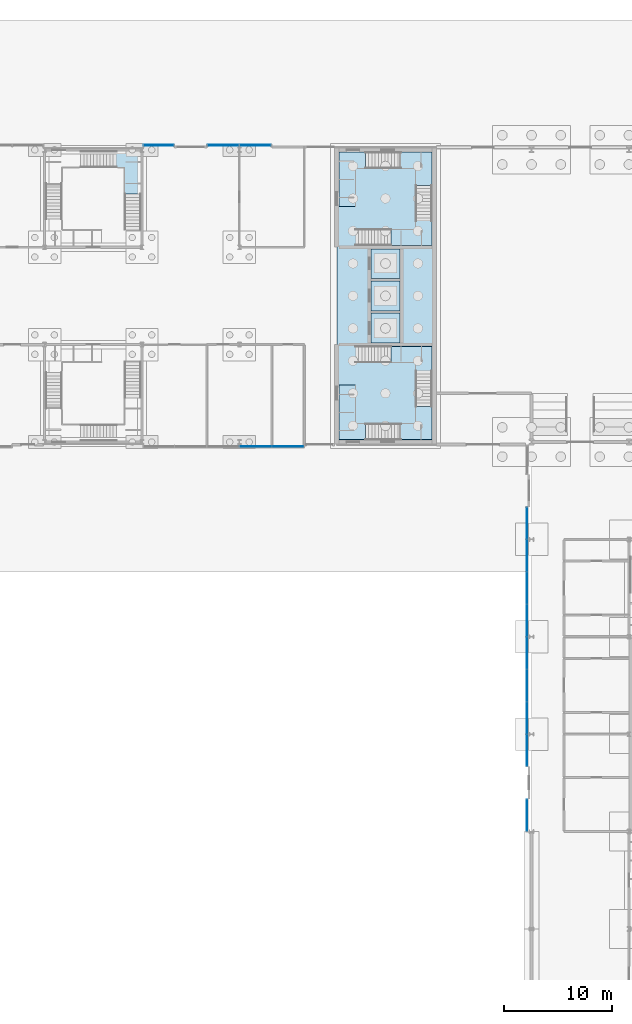
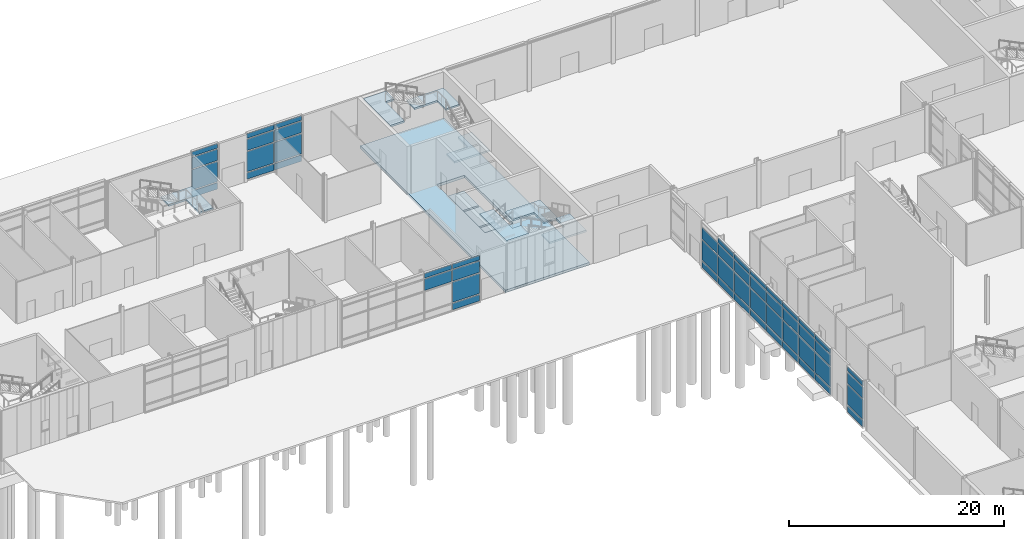
# One storey, part 22 of 45: 53 plates, 11 slabs, 8 elements without a shape of their own.
"""IFC4 building model written with IfcOpenShell, lengths in metres."""

import ifcopenshell
import ifcopenshell.guid

model = None  # the IFC model being written
_history = None  # IfcOwnerHistory: only IFC2X3 demands one
_inside = {}  # id of a spatial element -> (the spatial element, [elements in it])
_under = {}  # id of a project, library or spatial element -> (it, [spatial elements below it])
_declared = {}  # id of a project -> (the project, [libraries it declares])
_typed = {}  # id of a type object -> (the type object, [elements of that type])
_made_of = {}  # id of a material, layer set ... -> (it, [elements and type objects made of it])


def new_model(schema):
    """Start an empty IFC model of exactly this schema.

    Asked for "IFC4X3", IfcOpenShell would pick the latest addendum, in which some entities
    have other attributes; the version numbers below select the first issue.
    IFC2X3 requires an IfcOwnerHistory on every rooted entity: one is made here for all.
    """
    global model, _history
    if schema == "IFC4X3":
        model = ifcopenshell.file(schema_version=(4, 3, 0, 0))
    else:
        model = ifcopenshell.file(schema=schema)
    _inside.clear()
    _under.clear()
    _declared.clear()
    _typed.clear()
    _made_of.clear()
    _history = None
    if model.schema == "IFC2X3":
        org = make("IfcOrganization", Name="unknown")
        user = make(
            "IfcPersonAndOrganization",
            ThePerson=make("IfcPerson", FamilyName="unknown"),
            TheOrganization=org,
        )
        app = make(
            "IfcApplication",
            ApplicationDeveloper=org,
            Version="unknown",
            ApplicationFullName="unknown",
            ApplicationIdentifier="unknown",
        )
        _history = make(
            "IfcOwnerHistory",
            OwningUser=user,
            OwningApplication=app,
            ChangeAction="ADDED",
            CreationDate=0,
        )
    return model


def make(cls, **values):
    """One entity of the class cls with the attributes given. An attribute that is None is left unset."""
    return model.create_entity(
        cls, **{name: value for name, value in values.items() if value is not None}
    )


def rooted(cls, **values):
    """An entity with a GlobalId (a new one), such as an element, a storey or a relation."""
    return make(cls, GlobalId=ifcopenshell.guid.new(), OwnerHistory=_history, **values)


def si_unit(unit_type, name, prefix=None):
    """IfcSIUnit, for example si_unit("LENGTHUNIT", "METRE", prefix="MILLI")."""
    return make("IfcSIUnit", UnitType=unit_type, Prefix=prefix, Name=name)


def assignment(units):
    """IfcUnitAssignment: the units of a project."""
    return None if units is None else make("IfcUnitAssignment", Units=units)


def point(xyz):
    """IfcCartesianPoint."""
    return None if xyz is None else make("IfcCartesianPoint", Coordinates=xyz)


def direction(xyz):
    """IfcDirection."""
    return None if xyz is None else make("IfcDirection", DirectionRatios=xyz)


def frame(location, z_axis=None, x_axis=None):
    """IfcAxis2Placement3D, a coordinate frame: its origin and axes. An axis left out is left unset."""
    return make(
        "IfcAxis2Placement3D",
        Location=point(location),
        Axis=direction(z_axis),
        RefDirection=direction(x_axis),
    )


def frame_2d(location, x_axis=None):
    """IfcAxis2Placement2D, a coordinate frame in the plane: its origin and x axis."""
    return make(
        "IfcAxis2Placement2D", Location=point(location), RefDirection=direction(x_axis)
    )


def origin():
    """The frame at (0, 0, 0) with its axes left unset."""
    return frame((0.0, 0.0, 0.0))


def origin_2d():
    """The frame at (0, 0) in the plane with its x axis left unset."""
    return frame_2d((0.0, 0.0))


def place(relative_to, where):
    """IfcLocalPlacement: puts the frame where relative to a parent placement (None: the world)."""
    return make(
        "IfcLocalPlacement", PlacementRelTo=relative_to, RelativePlacement=where
    )


def context(
    kind, dimensions, precision=None, world=None, true_north=None, identifier=None
):
    """IfcGeometricRepresentationContext, for example the 3D "Model" context."""
    return make(
        "IfcGeometricRepresentationContext",
        ContextIdentifier=identifier,
        ContextType=kind,
        CoordinateSpaceDimension=dimensions,
        Precision=precision,
        WorldCoordinateSystem=world,
        TrueNorth=true_north,
    )


def subcontext(parent, identifier, kind, view, scale=None):
    """IfcGeometricRepresentationSubContext, for example "Body" below "Model"."""
    return make(
        "IfcGeometricRepresentationSubContext",
        ContextIdentifier=identifier,
        ContextType=kind,
        ParentContext=parent,
        TargetScale=scale,
        TargetView=view,
    )


def project(units=None, contexts=None):
    """IfcProject with its units and contexts."""
    return rooted(
        "IfcProject",
        Name="project",
        RepresentationContexts=contexts,
        UnitsInContext=assignment(units),
    )


def spatial(cls, under=None, at=None, **own):
    """A site, building, storey or space (cls), placed at a placement, below another one or the project."""
    s = rooted(cls, ObjectPlacement=at, **own)
    if under is not None:
        _under.setdefault(under.id(), (under, []))[1].append(s)
    return s


def polyline(points):
    """IfcPolyline through the points."""
    return make("IfcPolyline", Points=[point(p) for p in points])


def profile(cls, at=None, kind="AREA", **sizes):
    """A parametric profile (cls). Its sizes go by their IFC names, for example OverallWidth=200.0."""
    return make(cls, ProfileType=kind, Position=at, **sizes)


def rectangle(**sizes):
    """IfcRectangleProfileDef."""
    return profile("IfcRectangleProfileDef", **sizes)


def outline(outer, holes=None, kind="AREA"):
    """IfcArbitraryClosedProfileDef: a profile drawn as a closed curve; with holes, ...WithVoids."""
    if holes is None:
        return make("IfcArbitraryClosedProfileDef", ProfileType=kind, OuterCurve=outer)
    return make(
        "IfcArbitraryProfileDefWithVoids",
        ProfileType=kind,
        OuterCurve=outer,
        InnerCurves=holes,
    )


def extrude(swept, where, along, depth):
    """IfcExtrudedAreaSolid: the profile swept, set in the frame where, extruded along a direction by depth."""
    return make(
        "IfcExtrudedAreaSolid",
        SweptArea=swept,
        Position=where,
        ExtrudedDirection=direction(along),
        Depth=depth,
    )


def shape(context_of_items, identifier, shape_type, items):
    """IfcShapeRepresentation: the items that make up one representation, for example the "Body"."""
    return make(
        "IfcShapeRepresentation",
        ContextOfItems=context_of_items,
        RepresentationIdentifier=identifier,
        RepresentationType=shape_type,
        Items=items,
    )


def material(Name=None, Category=None):
    """IfcMaterial."""
    return make("IfcMaterial", Name=Name, Category=Category)


def layer(
    of_material, thickness, ventilated=None, Name=None, Category=None, Priority=None
):
    """IfcMaterialLayer: one layer of a wall or slab, of a material (None: an air gap)."""
    return make(
        "IfcMaterialLayer",
        Material=of_material,
        LayerThickness=thickness,
        IsVentilated=ventilated,
        Name=Name,
        Category=Category,
        Priority=Priority,
    )


def layer_set(layers, Name=None):
    """IfcMaterialLayerSet."""
    return make("IfcMaterialLayerSet", MaterialLayers=layers, LayerSetName=Name)


def made_of(thing, what):
    """Note that an element or type object is made of a material, layer set ...; save() writes the relation."""
    if what is not None:
        _made_of.setdefault(what.id(), (what, []))[1].append(thing)
    return thing


def type_object(cls, material=None, **own):
    """A type object (cls), such as IfcWallType, which elements share."""
    return made_of(rooted(cls, **own), material)


def element(
    cls,
    number,
    at=None,
    inside=None,
    cuts=None,
    type_object=None,
    material=None,
    context=None,
    identifier="Body",
    shape_type=None,
    held_by="IfcProductDefinitionShape",
    body=None,
    shapes=None,
    **own,
):
    """One element of the class cls, such as IfcWall. Its Tag is "e" and its number.

    at: its placement. inside: the storey or other place that contains it. cuts: it is an
    opening in that element (IfcRelVoidsElement). A single representation is given by context,
    identifier, shape_type and body (its items); several are given by shapes. held_by: the class
    of the entity that holds the representations. save() writes the other relations.
    """
    e = rooted(cls, Tag="e%d" % number, ObjectPlacement=at, **own)
    if body is not None:
        shapes = [shape(context, identifier, shape_type, body)]
    if shapes is not None:
        e.Representation = make(held_by, Representations=shapes)
    if inside is not None:
        _inside.setdefault(inside.id(), (inside, []))[1].append(e)
    if cuts is not None:
        rooted(
            "IfcRelVoidsElement", RelatingBuildingElement=cuts, RelatedOpeningElement=e
        )
    if type_object is not None:
        _typed.setdefault(type_object.id(), (type_object, []))[1].append(e)
    return made_of(e, material)


def aggregate(whole, parts):
    """IfcRelAggregates: a whole, such as a stair, and the parts it consists of."""
    return rooted("IfcRelAggregates", RelatingObject=whole, RelatedObjects=parts)


def save(model, path):
    """Write the relations noted so far, then the file.

    IfcRelAggregates (storeys below a building ...), IfcRelContainedInSpatialStructure (elements
    in a storey), IfcRelDefinesByType, IfcRelAssociatesMaterial and IfcRelDeclares: one each for
    every whole, place, type object, material and project.
    """
    for whole, parts in _under.values():
        aggregate(whole, parts)
    for where, things in _inside.values():
        rooted(
            "IfcRelContainedInSpatialStructure",
            RelatedElements=things,
            RelatingStructure=where,
        )
    for kind, things in _typed.values():
        rooted("IfcRelDefinesByType", RelatedObjects=things, RelatingType=kind)
    for what, things in _made_of.values():
        rooted("IfcRelAssociatesMaterial", RelatedObjects=things, RelatingMaterial=what)
    for by, libraries in _declared.values():
        rooted("IfcRelDeclares", RelatingContext=by, RelatedDefinitions=libraries)
    model.write(path)


model = new_model("IFC4")

# Units and contexts
model_context = context("Model", 3, precision=1e-05, world=origin(), true_north=direction((0.0, 1.0)))
body_context = subcontext(model_context, "Body", "Model", "MODEL_VIEW")
ifc_project = project(units=[si_unit("LENGTHUNIT", "METRE"), si_unit("AREAUNIT", "SQUARE_METRE"), si_unit("VOLUMEUNIT", "CUBIC_METRE"), si_unit("PLANEANGLEUNIT", "RADIAN"), si_unit("MASSUNIT", "GRAM", prefix="KILO")], contexts=[model_context])

# Site, building, storey
site_placement = place(None, origin())
site = spatial("IfcSite", under=ifc_project, at=site_placement, CompositionType="ELEMENT")
building_placement = place(site_placement, origin())
building = spatial("IfcBuilding", under=site, at=building_placement, Name="Azimuth Sports and Learning Centre", CompositionType="ELEMENT")
storey_placement = place(building_placement, origin())
storey = spatial("IfcBuildingStorey", under=building, at=storey_placement, Name="L00", CompositionType="ELEMENT", Elevation=0.0)

# Stair, slabs
ifc_material_1 = material(Name="Concrete C32/40", Category="concrete")
stair_type_1 = type_object("IfcStairType", Name="Square-well stair core 5400 storey", PredefinedType="THREE_QUARTER_TURN_STAIR", material=ifc_material_1)
stair_1_placement = place(storey_placement, origin())
stair_1 = element("IfcStair", 1, at=stair_1_placement, inside=storey, type_object=stair_type_1, Name="Stair W1 L00-L01", PredefinedType="THREE_QUARTER_TURN_STAIR")
ifc_material_2 = material(Name="Concrete C32/40", Category="concrete")
ifc_layer_1 = layer(ifc_material_2, 0.199951171875)
ifc_layer_set_1 = layer_set([ifc_layer_1], Name="Concrete C32/40")
slab_type_1 = type_object("IfcSlabType", Name="Concrete stair landing", PredefinedType="LANDING", material=ifc_layer_set_1)
slab_1_placement = place(storey_placement, frame((0.0, 0.0, 1.60009765625)))
slab_1 = element("IfcSlab", 2, at=slab_1_placement, type_object=slab_type_1, Name="Stair W1 L00 landing 1", PredefinedType="LANDING", context=body_context, shape_type="SweptSolid", body=[
    extrude(outline(polyline([(61.2900390625, 97.340087890625), (61.2900390625, 95.489990234375), (62.7900390625, 95.489990234375), (62.7900390625, 98.840087890625), (59.00927734375, 98.840087890625), (59.00927734375, 97.340087890625), (61.2900390625, 97.340087890625)])), origin(), (0.0, 0.0, 1.0), 0.199951171875),
])
slab_2_placement = place(storey_placement, frame((0.0, 0.0, 3.39990234375)))
slab_2 = element("IfcSlab", 3, at=slab_2_placement, type_object=slab_type_1, Name="Stair W1 L00 landing 2", PredefinedType="LANDING", context=body_context, shape_type="SweptSolid", body=[
    extrude(outline(polyline([(61.2900390625, 91.7099609375), (58.840087890625, 91.7099609375), (58.840087890625, 90.2099609375), (62.7900390625, 90.2099609375), (62.7900390625, 93.290771484375), (61.2900390625, 93.290771484375), (61.2900390625, 91.7099609375)])), origin(), (0.0, 0.0, 1.0), 0.2001953125),
])
slab_3_placement = place(storey_placement, frame((0.0, 0.0, 5.199951171875)))
slab_3 = element("IfcSlab", 4, at=slab_3_placement, type_object=slab_type_1, Name="Stair W1 L00 landing 3", PredefinedType="LANDING", context=body_context, shape_type="SweptSolid", body=[
    extrude(outline(polyline([(55.7099609375, 91.7099609375), (55.7099609375, 95.25), (54.2099609375, 95.25), (54.2099609375, 90.2099609375), (56.640625, 90.2099609375), (56.640625, 91.7099609375), (55.7099609375, 91.7099609375)])), origin(), (0.0, 0.0, 1.0), 0.199951171875),
])
aggregate(stair_1, [slab_1, slab_2, slab_3])

stair_2_placement = place(storey_placement, origin())
stair_2 = element("IfcStair", 5, at=stair_2_placement, inside=storey, type_object=stair_type_1, Name="Stair W2 L00-L01", PredefinedType="THREE_QUARTER_TURN_STAIR")
slab_4_placement = place(storey_placement, frame((0.0, 0.0, 1.60009765625)))
slab_4 = element("IfcSlab", 6, at=slab_4_placement, type_object=slab_type_1, Name="Stair W2 L00 landing 1", PredefinedType="LANDING", context=body_context, shape_type="SweptSolid", body=[
    extrude(outline(polyline([(61.2900390625, 109.659912109375), (59.00927734375, 109.659912109375), (59.00927734375, 108.159912109375), (62.7900390625, 108.159912109375), (62.7900390625, 111.510009765625), (61.2900390625, 111.510009765625), (61.2900390625, 109.659912109375)])), origin(), (0.0, 0.0, 1.0), 0.199951171875),
])
slab_5_placement = place(storey_placement, frame((0.0, 0.0, 3.39990234375)))
slab_5 = element("IfcSlab", 7, at=slab_5_placement, type_object=slab_type_1, Name="Stair W2 L00 landing 2", PredefinedType="LANDING", context=body_context, shape_type="SweptSolid", body=[
    extrude(outline(polyline([(61.2900390625, 115.2900390625), (61.2900390625, 113.709228515625), (62.7900390625, 113.709228515625), (62.7900390625, 116.7900390625), (58.840087890625, 116.7900390625), (58.840087890625, 115.2900390625), (61.2900390625, 115.2900390625)])), origin(), (0.0, 0.0, 1.0), 0.2001953125),
])
slab_6_placement = place(storey_placement, frame((0.0, 0.0, 5.199951171875)))
slab_6 = element("IfcSlab", 8, at=slab_6_placement, type_object=slab_type_1, Name="Stair W2 L00 landing 3", PredefinedType="LANDING", context=body_context, shape_type="SweptSolid", body=[
    extrude(outline(polyline([(55.7099609375, 115.2900390625), (56.640625, 115.2900390625), (56.640625, 116.7900390625), (54.2099609375, 116.7900390625), (54.2099609375, 111.75), (55.7099609375, 111.75), (55.7099609375, 115.2900390625)])), origin(), (0.0, 0.0, 1.0), 0.199951171875),
])
aggregate(stair_2, [slab_4, slab_5, slab_6])

# Stair, slab
ifc_material_3 = material(Name="Concrete C32/40", Category="concrete")
stair_type_2 = type_object("IfcStairType", Name="Square-well stair mid-wing cell 5400 storey", PredefinedType="THREE_QUARTER_TURN_STAIR", material=ifc_material_3)
stair_3_placement = place(storey_placement, origin())
stair_3 = element("IfcStair", 9, at=stair_3_placement, inside=storey, type_object=stair_type_2, Name="Stair WM2 L00-L01", PredefinedType="THREE_QUARTER_TURN_STAIR")
slab_7_placement = place(storey_placement, frame((0.0, 0.0, 1.60009765625)))
slab_7 = element("IfcSlab", 10, at=slab_7_placement, type_object=slab_type_1, Name="Stair WM2 L00 landing 1", PredefinedType="LANDING", context=body_context, shape_type="SweptSolid", body=[
    extrude(outline(polyline([(34.389892578125, 115.389892578125), (34.389892578125, 112.9091796875), (35.889892578125, 112.9091796875), (35.889892578125, 116.889892578125), (32.5400390625, 116.889892578125), (32.5400390625, 115.389892578125), (34.389892578125, 115.389892578125)])), origin(), (0.0, 0.0, 1.0), 0.199951171875),
])
aggregate(stair_3, [slab_7])

# Slabs
ifc_material_4 = material(Name="Concrete C30/37", Category="concrete")
ifc_layer_2 = layer(ifc_material_4, 0.300048828125)
ifc_layer_set_2 = layer_set([ifc_layer_2], Name="Concrete C30/37")
slab_type_2 = type_object("IfcSlabType", Name="Core ground slab 300", PredefinedType="BASESLAB", material=ifc_layer_set_2)
slab_8_placement = place(storey_placement, frame((0.0, 0.0, -0.300048828125)))
element("IfcSlab", 11, at=slab_8_placement, inside=storey, type_object=slab_type_2, Name="Slab West core L00", PredefinedType="BASESLAB", context=body_context, shape_type="SweptSolid", body=[
    extrude(outline(polyline([(54.0, 90.0), (63.0, 90.0), (63.0, 117.0), (54.0, 117.0), (54.0, 90.0)]), holes=[polyline([(57.0, 99.0), (57.0, 108.0), (60.0, 108.0), (60.0, 99.0), (57.0, 99.0)])]), origin(), (0.0, 0.0, 1.0), 0.300048828125),
])
ifc_material_5 = material(Name="Concrete C32/40", Category="concrete")
ifc_layer_3 = layer(ifc_material_5, 0.300048828125)
ifc_layer_set_3 = layer_set([ifc_layer_3], Name="Concrete C32/40")
slab_type_3 = type_object("IfcSlabType", Name="Lift pit slab 300", PredefinedType="BASESLAB", material=ifc_layer_set_3)
slab_9_placement = place(storey_placement, frame((0.0, 0.0, -1.89990234375)))
element("IfcSlab", 12, at=slab_9_placement, inside=storey, type_object=slab_type_3, Name="Lift pit floor LW1", PredefinedType="BASESLAB", context=body_context, shape_type="SweptSolid", body=[
    extrude(outline(polyline([(57.14990234375, 99.14990234375), (59.85009765625, 99.14990234375), (59.85009765625, 101.89990234375), (57.14990234375, 101.89990234375), (57.14990234375, 99.14990234375)])), origin(), (0.0, 0.0, 1.0), 0.2998046875),
])
slab_10_placement = place(storey_placement, frame((0.0, 0.0, -1.89990234375)))
element("IfcSlab", 13, at=slab_10_placement, inside=storey, type_object=slab_type_3, Name="Lift pit floor LW2", PredefinedType="BASESLAB", context=body_context, shape_type="SweptSolid", body=[
    extrude(outline(polyline([(57.14990234375, 102.10009765625), (59.85009765625, 102.10009765625), (59.85009765625, 104.89990234375), (57.14990234375, 104.89990234375), (57.14990234375, 102.10009765625)])), origin(), (0.0, 0.0, 1.0), 0.2998046875),
])
slab_11_placement = place(storey_placement, frame((0.0, 0.0, -1.89990234375)))
element("IfcSlab", 14, at=slab_11_placement, inside=storey, type_object=slab_type_3, Name="Lift pit floor LW3", PredefinedType="BASESLAB", context=body_context, shape_type="SweptSolid", body=[
    extrude(outline(polyline([(57.14990234375, 105.10009765625), (59.85009765625, 105.10009765625), (59.85009765625, 107.85009765625), (57.14990234375, 107.85009765625), (57.14990234375, 105.10009765625)])), origin(), (0.0, 0.0, 1.0), 0.2998046875),
])

# Curtain wall, plates
ifc_material_6 = material(Name="Aluminium and glass", Category="aluminium")
curtain_wall_type_1 = type_object("IfcCurtainWallType", Name="Curtain wall podium wing 240", PredefinedType="NOTDEFINED", material=ifc_material_6)
curtain_wall_1_placement = place(storey_placement, origin())
curtain_wall_1 = element("IfcCurtainWall", 15, at=curtain_wall_1_placement, inside=storey, type_object=curtain_wall_type_1, Name="Curtain wall CW00-002", PredefinedType="NOTDEFINED")
ifc_material_7 = material(Name="Insulated aluminium panel", Category="aluminium")
ifc_layer_4 = layer(ifc_material_7, 0.06005859375)
ifc_layer_set_4 = layer_set([ifc_layer_4], Name="Insulated aluminium panel")
plate_type_1 = type_object("IfcPlateType", Name="Spandrel panel 60 mm", PredefinedType="CURTAIN_PANEL", material=ifc_layer_set_4)
plate_1_placement = place(storey_placement, frame((46.5, 89.580078125, 4.760009765625), z_axis=(0.0, 0.0, 1.0), x_axis=(1.0, 0.0, 0.0)))
plate_1 = element("IfcPlate", 16, at=plate_1_placement, type_object=plate_type_1, Name="CW00-002 panel 4.4", PredefinedType="CURTAIN_PANEL", context=body_context, shape_type="SweptSolid", body=[
    extrude(rectangle(XDim=2.919921875, YDim=0.06005859375, at=origin_2d()), origin(), (0.0, 0.0, 1.0), 0.52001953125),
])
plate_2_placement = place(storey_placement, frame((49.47998046875, 89.580078125, 0.1201171875), z_axis=(0.0, 0.0, 1.0), x_axis=(1.0, 0.0, 0.0)))
plate_2 = element("IfcPlate", 17, at=plate_2_placement, type_object=plate_type_1, Name="CW00-002 panel 5.1", PredefinedType="CURTAIN_PANEL", context=body_context, shape_type="SweptSolid", body=[
    extrude(rectangle(XDim=2.8798828125, YDim=0.06005859375, at=origin_2d()), origin(), (0.0, 0.0, 1.0), 0.719970703125),
])
plate_3_placement = place(storey_placement, frame((49.47998046875, 89.580078125, 4.760009765625), z_axis=(0.0, 0.0, 1.0), x_axis=(1.0, 0.0, 0.0)))
plate_3 = element("IfcPlate", 18, at=plate_3_placement, type_object=plate_type_1, Name="CW00-002 panel 5.4", PredefinedType="CURTAIN_PANEL", context=body_context, shape_type="SweptSolid", body=[
    extrude(rectangle(XDim=2.8798828125, YDim=0.06005859375, at=origin_2d()), origin(), (0.0, 0.0, 1.0), 0.52001953125),
])

ifc_material_8 = material(Name="Aluminium and glass", Category="aluminium")
curtain_wall_type_2 = type_object("IfcCurtainWallType", Name="Curtain wall podium stem 240", PredefinedType="NOTDEFINED", material=ifc_material_8)
curtain_wall_2_placement = place(storey_placement, origin())
curtain_wall_2 = element("IfcCurtainWall", 19, at=curtain_wall_2_placement, inside=storey, type_object=curtain_wall_type_2, Name="Curtain wall CW00-004", PredefinedType="NOTDEFINED")
plate_4_placement = place(storey_placement, frame((71.580078125, 82.47998046875, 0.1201171875), z_axis=(0.0, 0.0, 1.0), x_axis=(0.0, -1.0, 0.0)))
plate_4 = element("IfcPlate", 20, at=plate_4_placement, type_object=plate_type_1, Name="CW00-004 panel 1.1", PredefinedType="CURTAIN_PANEL", context=body_context, shape_type="SweptSolid", body=[
    extrude(rectangle(XDim=2.8798828125, YDim=0.06005859375, at=origin_2d()), origin(), (0.0, 0.0, 1.0), 0.719970703125),
])
plate_5_placement = place(storey_placement, frame((71.580078125, 79.5, 0.1201171875), z_axis=(0.0, 0.0, 1.0), x_axis=(0.0, -1.0, 0.0)))
plate_5 = element("IfcPlate", 21, at=plate_5_placement, type_object=plate_type_1, Name="CW00-004 panel 2.1", PredefinedType="CURTAIN_PANEL", context=body_context, shape_type="SweptSolid", body=[
    extrude(rectangle(XDim=2.919921875, YDim=0.06005859375, at=origin_2d()), origin(), (0.0, 0.0, 1.0), 0.719970703125),
])
plate_6_placement = place(storey_placement, frame((71.580078125, 79.5, 4.760009765625), z_axis=(0.0, 0.0, 1.0), x_axis=(0.0, -1.0, 0.0)))
plate_6 = element("IfcPlate", 22, at=plate_6_placement, type_object=plate_type_1, Name="CW00-004 panel 2.4", PredefinedType="CURTAIN_PANEL", context=body_context, shape_type="SweptSolid", body=[
    extrude(rectangle(XDim=2.919921875, YDim=0.06005859375, at=origin_2d()), origin(), (0.0, 0.0, 1.0), 0.52001953125),
])
plate_7_placement = place(storey_placement, frame((71.580078125, 76.5, 0.1201171875), z_axis=(0.0, 0.0, 1.0), x_axis=(0.0, -1.0, 0.0)))
plate_7 = element("IfcPlate", 23, at=plate_7_placement, type_object=plate_type_1, Name="CW00-004 panel 3.1", PredefinedType="CURTAIN_PANEL", context=body_context, shape_type="SweptSolid", body=[
    extrude(rectangle(XDim=2.919921875, YDim=0.06005859375, at=origin_2d()), origin(), (0.0, 0.0, 1.0), 0.719970703125),
])
plate_8_placement = place(storey_placement, frame((71.580078125, 76.5, 4.760009765625), z_axis=(0.0, 0.0, 1.0), x_axis=(0.0, -1.0, 0.0)))
plate_8 = element("IfcPlate", 24, at=plate_8_placement, type_object=plate_type_1, Name="CW00-004 panel 3.4", PredefinedType="CURTAIN_PANEL", context=body_context, shape_type="SweptSolid", body=[
    extrude(rectangle(XDim=2.919921875, YDim=0.06005859375, at=origin_2d()), origin(), (0.0, 0.0, 1.0), 0.52001953125),
])
plate_9_placement = place(storey_placement, frame((71.580078125, 73.5, 0.1201171875), z_axis=(0.0, 0.0, 1.0), x_axis=(0.0, -1.0, 0.0)))
plate_9 = element("IfcPlate", 25, at=plate_9_placement, type_object=plate_type_1, Name="CW00-004 panel 4.1", PredefinedType="CURTAIN_PANEL", context=body_context, shape_type="SweptSolid", body=[
    extrude(rectangle(XDim=2.919921875, YDim=0.06005859375, at=origin_2d()), origin(), (0.0, 0.0, 1.0), 0.719970703125),
])
plate_10_placement = place(storey_placement, frame((71.580078125, 73.5, 4.760009765625), z_axis=(0.0, 0.0, 1.0), x_axis=(0.0, -1.0, 0.0)))
plate_10 = element("IfcPlate", 26, at=plate_10_placement, type_object=plate_type_1, Name="CW00-004 panel 4.4", PredefinedType="CURTAIN_PANEL", context=body_context, shape_type="SweptSolid", body=[
    extrude(rectangle(XDim=2.919921875, YDim=0.06005859375, at=origin_2d()), origin(), (0.0, 0.0, 1.0), 0.52001953125),
])
plate_11_placement = place(storey_placement, frame((71.580078125, 70.5, 0.1201171875), z_axis=(0.0, 0.0, 1.0), x_axis=(0.0, -1.0, 0.0)))
plate_11 = element("IfcPlate", 27, at=plate_11_placement, type_object=plate_type_1, Name="CW00-004 panel 5.1", PredefinedType="CURTAIN_PANEL", context=body_context, shape_type="SweptSolid", body=[
    extrude(rectangle(XDim=2.919921875, YDim=0.06005859375, at=origin_2d()), origin(), (0.0, 0.0, 1.0), 0.719970703125),
])
plate_12_placement = place(storey_placement, frame((71.580078125, 70.5, 4.760009765625), z_axis=(0.0, 0.0, 1.0), x_axis=(0.0, -1.0, 0.0)))
plate_12 = element("IfcPlate", 28, at=plate_12_placement, type_object=plate_type_1, Name="CW00-004 panel 5.4", PredefinedType="CURTAIN_PANEL", context=body_context, shape_type="SweptSolid", body=[
    extrude(rectangle(XDim=2.919921875, YDim=0.06005859375, at=origin_2d()), origin(), (0.0, 0.0, 1.0), 0.52001953125),
])
plate_13_placement = place(storey_placement, frame((71.580078125, 67.5, 0.1201171875), z_axis=(0.0, 0.0, 1.0), x_axis=(0.0, -1.0, 0.0)))
plate_13 = element("IfcPlate", 29, at=plate_13_placement, type_object=plate_type_1, Name="CW00-004 panel 6.1", PredefinedType="CURTAIN_PANEL", context=body_context, shape_type="SweptSolid", body=[
    extrude(rectangle(XDim=2.919921875, YDim=0.06005859375, at=origin_2d()), origin(), (0.0, 0.0, 1.0), 0.719970703125),
])
plate_14_placement = place(storey_placement, frame((71.580078125, 67.5, 4.760009765625), z_axis=(0.0, 0.0, 1.0), x_axis=(0.0, -1.0, 0.0)))
plate_14 = element("IfcPlate", 30, at=plate_14_placement, type_object=plate_type_1, Name="CW00-004 panel 6.4", PredefinedType="CURTAIN_PANEL", context=body_context, shape_type="SweptSolid", body=[
    extrude(rectangle(XDim=2.919921875, YDim=0.06005859375, at=origin_2d()), origin(), (0.0, 0.0, 1.0), 0.52001953125),
])
plate_15_placement = place(storey_placement, frame((71.580078125, 64.5, 0.1201171875), z_axis=(0.0, 0.0, 1.0), x_axis=(0.0, -1.0, 0.0)))
plate_15 = element("IfcPlate", 31, at=plate_15_placement, type_object=plate_type_1, Name="CW00-004 panel 7.1", PredefinedType="CURTAIN_PANEL", context=body_context, shape_type="SweptSolid", body=[
    extrude(rectangle(XDim=2.919921875, YDim=0.06005859375, at=origin_2d()), origin(), (0.0, 0.0, 1.0), 0.719970703125),
])
plate_16_placement = place(storey_placement, frame((71.580078125, 64.5, 4.760009765625), z_axis=(0.0, 0.0, 1.0), x_axis=(0.0, -1.0, 0.0)))
plate_16 = element("IfcPlate", 32, at=plate_16_placement, type_object=plate_type_1, Name="CW00-004 panel 7.4", PredefinedType="CURTAIN_PANEL", context=body_context, shape_type="SweptSolid", body=[
    extrude(rectangle(XDim=2.919921875, YDim=0.06005859375, at=origin_2d()), origin(), (0.0, 0.0, 1.0), 0.52001953125),
])
plate_17_placement = place(storey_placement, frame((71.580078125, 61.52001953125, 0.1201171875), z_axis=(0.0, 0.0, 1.0), x_axis=(0.0, -1.0, 0.0)))
plate_17 = element("IfcPlate", 33, at=plate_17_placement, type_object=plate_type_1, Name="CW00-004 panel 8.1", PredefinedType="CURTAIN_PANEL", context=body_context, shape_type="SweptSolid", body=[
    extrude(rectangle(XDim=2.8798828125, YDim=0.06005859375, at=origin_2d()), origin(), (0.0, 0.0, 1.0), 0.719970703125),
])
plate_18_placement = place(storey_placement, frame((71.580078125, 61.52001953125, 4.760009765625), z_axis=(0.0, 0.0, 1.0), x_axis=(0.0, -1.0, 0.0)))
plate_18 = element("IfcPlate", 34, at=plate_18_placement, type_object=plate_type_1, Name="CW00-004 panel 8.4", PredefinedType="CURTAIN_PANEL", context=body_context, shape_type="SweptSolid", body=[
    extrude(rectangle(XDim=2.8798828125, YDim=0.06005859375, at=origin_2d()), origin(), (0.0, 0.0, 1.0), 0.52001953125),
])

curtain_wall_3_placement = place(storey_placement, origin())
curtain_wall_3 = element("IfcCurtainWall", 35, at=curtain_wall_3_placement, inside=storey, type_object=curtain_wall_type_2, Name="Curtain wall CW00-005", PredefinedType="NOTDEFINED")
plate_19_placement = place(storey_placement, frame((71.580078125, 55.5, 0.1201171875), z_axis=(0.0, 0.0, 1.0), x_axis=(0.0, -1.0, 0.0)))
plate_19 = element("IfcPlate", 36, at=plate_19_placement, type_object=plate_type_1, Name="CW00-005 panel 1.1", PredefinedType="CURTAIN_PANEL", context=body_context, shape_type="SweptSolid", body=[
    extrude(rectangle(XDim=2.840087890625, YDim=0.06005859375, at=origin_2d()), origin(), (0.0, 0.0, 1.0), 0.719970703125),
])
plate_20_placement = place(storey_placement, frame((71.580078125, 55.5, 4.760009765625), z_axis=(0.0, 0.0, 1.0), x_axis=(0.0, -1.0, 0.0)))
plate_20 = element("IfcPlate", 37, at=plate_20_placement, type_object=plate_type_1, Name="CW00-005 panel 1.4", PredefinedType="CURTAIN_PANEL", context=body_context, shape_type="SweptSolid", body=[
    extrude(rectangle(XDim=2.840087890625, YDim=0.06005859375, at=origin_2d()), origin(), (0.0, 0.0, 1.0), 0.52001953125),
])

curtain_wall_4_placement = place(storey_placement, origin())
curtain_wall_4 = element("IfcCurtainWall", 38, at=curtain_wall_4_placement, inside=storey, type_object=curtain_wall_type_1, Name="Curtain wall CW00-014", PredefinedType="NOTDEFINED")
plate_21_placement = place(storey_placement, frame((46.47998046875, 117.419921875, 0.1201171875), z_axis=(0.0, 0.0, 1.0), x_axis=(-1.0, 0.0, 0.0)))
plate_21 = element("IfcPlate", 39, at=plate_21_placement, type_object=plate_type_1, Name="CW00-014 panel 1.1", PredefinedType="CURTAIN_PANEL", context=body_context, shape_type="SweptSolid", body=[
    extrude(rectangle(XDim=2.8798828125, YDim=0.06005859375, at=origin_2d()), origin(), (0.0, 0.0, 1.0), 0.719970703125),
])
plate_22_placement = place(storey_placement, frame((46.47998046875, 117.419921875, 4.760009765625), z_axis=(0.0, 0.0, 1.0), x_axis=(-1.0, 0.0, 0.0)))
plate_22 = element("IfcPlate", 40, at=plate_22_placement, type_object=plate_type_1, Name="CW00-014 panel 1.4", PredefinedType="CURTAIN_PANEL", context=body_context, shape_type="SweptSolid", body=[
    extrude(rectangle(XDim=2.8798828125, YDim=0.06005859375, at=origin_2d()), origin(), (0.0, 0.0, 1.0), 0.52001953125),
])
plate_23_placement = place(storey_placement, frame((43.52001953125, 117.419921875, 0.1201171875), z_axis=(0.0, 0.0, 1.0), x_axis=(-1.0, 0.0, 0.0)))
plate_23 = element("IfcPlate", 41, at=plate_23_placement, type_object=plate_type_1, Name="CW00-014 panel 2.1", PredefinedType="CURTAIN_PANEL", context=body_context, shape_type="SweptSolid", body=[
    extrude(rectangle(XDim=2.8798828125, YDim=0.06005859375, at=origin_2d()), origin(), (0.0, 0.0, 1.0), 0.719970703125),
])
plate_24_placement = place(storey_placement, frame((43.52001953125, 117.419921875, 4.760009765625), z_axis=(0.0, 0.0, 1.0), x_axis=(-1.0, 0.0, 0.0)))
plate_24 = element("IfcPlate", 42, at=plate_24_placement, type_object=plate_type_1, Name="CW00-014 panel 2.4", PredefinedType="CURTAIN_PANEL", context=body_context, shape_type="SweptSolid", body=[
    extrude(rectangle(XDim=2.8798828125, YDim=0.06005859375, at=origin_2d()), origin(), (0.0, 0.0, 1.0), 0.52001953125),
])

curtain_wall_5_placement = place(storey_placement, origin())
curtain_wall_5 = element("IfcCurtainWall", 43, at=curtain_wall_5_placement, inside=storey, type_object=curtain_wall_type_1, Name="Curtain wall CW00-015", PredefinedType="NOTDEFINED")
plate_25_placement = place(storey_placement, frame((37.550048828125, 117.419921875, 0.1201171875), z_axis=(0.0, 0.0, 1.0), x_axis=(-1.0, 0.0, 0.0)))
plate_25 = element("IfcPlate", 44, at=plate_25_placement, type_object=plate_type_1, Name="CW00-015 panel 1.1", PredefinedType="CURTAIN_PANEL", context=body_context, shape_type="SweptSolid", body=[
    extrude(rectangle(XDim=2.739990234375, YDim=0.06005859375, at=origin_2d()), origin(), (0.0, 0.0, 1.0), 0.719970703125),
])
plate_26_placement = place(storey_placement, frame((37.550048828125, 117.419921875, 4.760009765625), z_axis=(0.0, 0.0, 1.0), x_axis=(-1.0, 0.0, 0.0)))
plate_26 = element("IfcPlate", 45, at=plate_26_placement, type_object=plate_type_1, Name="CW00-015 panel 1.4", PredefinedType="CURTAIN_PANEL", context=body_context, shape_type="SweptSolid", body=[
    extrude(rectangle(XDim=2.739990234375, YDim=0.06005859375, at=origin_2d()), origin(), (0.0, 0.0, 1.0), 0.52001953125),
])

# Plate
ifc_material_9 = material(Name="Glass", Category="glass")
ifc_layer_5 = layer(ifc_material_9, 0.0439453125)
ifc_layer_set_5 = layer_set([ifc_layer_5], Name="Glass")
plate_type_2 = type_object("IfcPlateType", Name="Vision glass 44 mm", PredefinedType="CURTAIN_PANEL", material=ifc_layer_set_5)
plate_27_placement = place(storey_placement, frame((46.5, 89.580078125, 3.35986328125), z_axis=(0.0, 0.0, 1.0), x_axis=(1.0, 0.0, 0.0)))
plate_27 = element("IfcPlate", 46, at=plate_27_placement, type_object=plate_type_2, Name="CW00-002 panel 4.3", PredefinedType="CURTAIN_PANEL", context=body_context, shape_type="SweptSolid", body=[
    extrude(rectangle(XDim=2.919921875, YDim=0.0439453125, at=origin_2d()), origin(), (0.0, 0.0, 1.0), 1.280029296875),
])

plate_28_placement = place(storey_placement, frame((49.47998046875, 89.580078125, 0.9599609375), z_axis=(0.0, 0.0, 1.0), x_axis=(1.0, 0.0, 0.0)))
plate_28 = element("IfcPlate", 47, at=plate_28_placement, type_object=plate_type_2, Name="CW00-002 panel 5.2", PredefinedType="CURTAIN_PANEL", context=body_context, shape_type="SweptSolid", body=[
    extrude(rectangle(XDim=2.8798828125, YDim=0.0439453125, at=origin_2d()), origin(), (0.0, 0.0, 1.0), 2.280029296875),
])

plate_29_placement = place(storey_placement, frame((49.47998046875, 89.580078125, 3.35986328125), z_axis=(0.0, 0.0, 1.0), x_axis=(1.0, 0.0, 0.0)))
plate_29 = element("IfcPlate", 48, at=plate_29_placement, type_object=plate_type_2, Name="CW00-002 panel 5.3", PredefinedType="CURTAIN_PANEL", context=body_context, shape_type="SweptSolid", body=[
    extrude(rectangle(XDim=2.8798828125, YDim=0.0439453125, at=origin_2d()), origin(), (0.0, 0.0, 1.0), 1.280029296875),
])

aggregate(curtain_wall_1, [plate_27, plate_1, plate_2, plate_28, plate_29, plate_3])

plate_30_placement = place(storey_placement, frame((71.580078125, 82.47998046875, 0.9599609375), z_axis=(0.0, 0.0, 1.0), x_axis=(0.0, -1.0, 0.0)))
plate_30 = element("IfcPlate", 49, at=plate_30_placement, type_object=plate_type_2, Name="CW00-004 panel 1.2", PredefinedType="CURTAIN_PANEL", context=body_context, shape_type="SweptSolid", body=[
    extrude(rectangle(XDim=2.8798828125, YDim=0.0439453125, at=origin_2d()), origin(), (0.0, 0.0, 1.0), 2.280029296875),
])

plate_31_placement = place(storey_placement, frame((71.580078125, 82.47998046875, 3.35986328125), z_axis=(0.0, 0.0, 1.0), x_axis=(0.0, -1.0, 0.0)))
plate_31 = element("IfcPlate", 50, at=plate_31_placement, type_object=plate_type_2, Name="CW00-004 panel 1.3", PredefinedType="CURTAIN_PANEL", context=body_context, shape_type="SweptSolid", body=[
    extrude(rectangle(XDim=2.8798828125, YDim=0.0439453125, at=origin_2d()), origin(), (0.0, 0.0, 1.0), 1.280029296875),
])

plate_32_placement = place(storey_placement, frame((71.580078125, 79.5, 0.9599609375), z_axis=(0.0, 0.0, 1.0), x_axis=(0.0, -1.0, 0.0)))
plate_32 = element("IfcPlate", 51, at=plate_32_placement, type_object=plate_type_2, Name="CW00-004 panel 2.2", PredefinedType="CURTAIN_PANEL", context=body_context, shape_type="SweptSolid", body=[
    extrude(rectangle(XDim=2.919921875, YDim=0.0439453125, at=origin_2d()), origin(), (0.0, 0.0, 1.0), 2.280029296875),
])

plate_33_placement = place(storey_placement, frame((71.580078125, 79.5, 3.35986328125), z_axis=(0.0, 0.0, 1.0), x_axis=(0.0, -1.0, 0.0)))
plate_33 = element("IfcPlate", 52, at=plate_33_placement, type_object=plate_type_2, Name="CW00-004 panel 2.3", PredefinedType="CURTAIN_PANEL", context=body_context, shape_type="SweptSolid", body=[
    extrude(rectangle(XDim=2.919921875, YDim=0.0439453125, at=origin_2d()), origin(), (0.0, 0.0, 1.0), 1.280029296875),
])

plate_34_placement = place(storey_placement, frame((71.580078125, 76.5, 0.9599609375), z_axis=(0.0, 0.0, 1.0), x_axis=(0.0, -1.0, 0.0)))
plate_34 = element("IfcPlate", 53, at=plate_34_placement, type_object=plate_type_2, Name="CW00-004 panel 3.2", PredefinedType="CURTAIN_PANEL", context=body_context, shape_type="SweptSolid", body=[
    extrude(rectangle(XDim=2.919921875, YDim=0.0439453125, at=origin_2d()), origin(), (0.0, 0.0, 1.0), 2.280029296875),
])

plate_35_placement = place(storey_placement, frame((71.580078125, 76.5, 3.35986328125), z_axis=(0.0, 0.0, 1.0), x_axis=(0.0, -1.0, 0.0)))
plate_35 = element("IfcPlate", 54, at=plate_35_placement, type_object=plate_type_2, Name="CW00-004 panel 3.3", PredefinedType="CURTAIN_PANEL", context=body_context, shape_type="SweptSolid", body=[
    extrude(rectangle(XDim=2.919921875, YDim=0.0439453125, at=origin_2d()), origin(), (0.0, 0.0, 1.0), 1.280029296875),
])

plate_36_placement = place(storey_placement, frame((71.580078125, 73.5, 0.9599609375), z_axis=(0.0, 0.0, 1.0), x_axis=(0.0, -1.0, 0.0)))
plate_36 = element("IfcPlate", 55, at=plate_36_placement, type_object=plate_type_2, Name="CW00-004 panel 4.2", PredefinedType="CURTAIN_PANEL", context=body_context, shape_type="SweptSolid", body=[
    extrude(rectangle(XDim=2.919921875, YDim=0.0439453125, at=origin_2d()), origin(), (0.0, 0.0, 1.0), 2.280029296875),
])

plate_37_placement = place(storey_placement, frame((71.580078125, 73.5, 3.35986328125), z_axis=(0.0, 0.0, 1.0), x_axis=(0.0, -1.0, 0.0)))
plate_37 = element("IfcPlate", 56, at=plate_37_placement, type_object=plate_type_2, Name="CW00-004 panel 4.3", PredefinedType="CURTAIN_PANEL", context=body_context, shape_type="SweptSolid", body=[
    extrude(rectangle(XDim=2.919921875, YDim=0.0439453125, at=origin_2d()), origin(), (0.0, 0.0, 1.0), 1.280029296875),
])

plate_38_placement = place(storey_placement, frame((71.580078125, 70.5, 0.9599609375), z_axis=(0.0, 0.0, 1.0), x_axis=(0.0, -1.0, 0.0)))
plate_38 = element("IfcPlate", 57, at=plate_38_placement, type_object=plate_type_2, Name="CW00-004 panel 5.2", PredefinedType="CURTAIN_PANEL", context=body_context, shape_type="SweptSolid", body=[
    extrude(rectangle(XDim=2.919921875, YDim=0.0439453125, at=origin_2d()), origin(), (0.0, 0.0, 1.0), 2.280029296875),
])

plate_39_placement = place(storey_placement, frame((71.580078125, 70.5, 3.35986328125), z_axis=(0.0, 0.0, 1.0), x_axis=(0.0, -1.0, 0.0)))
plate_39 = element("IfcPlate", 58, at=plate_39_placement, type_object=plate_type_2, Name="CW00-004 panel 5.3", PredefinedType="CURTAIN_PANEL", context=body_context, shape_type="SweptSolid", body=[
    extrude(rectangle(XDim=2.919921875, YDim=0.0439453125, at=origin_2d()), origin(), (0.0, 0.0, 1.0), 1.280029296875),
])

plate_40_placement = place(storey_placement, frame((71.580078125, 67.5, 0.9599609375), z_axis=(0.0, 0.0, 1.0), x_axis=(0.0, -1.0, 0.0)))
plate_40 = element("IfcPlate", 59, at=plate_40_placement, type_object=plate_type_2, Name="CW00-004 panel 6.2", PredefinedType="CURTAIN_PANEL", context=body_context, shape_type="SweptSolid", body=[
    extrude(rectangle(XDim=2.919921875, YDim=0.0439453125, at=origin_2d()), origin(), (0.0, 0.0, 1.0), 2.280029296875),
])

plate_41_placement = place(storey_placement, frame((71.580078125, 67.5, 3.35986328125), z_axis=(0.0, 0.0, 1.0), x_axis=(0.0, -1.0, 0.0)))
plate_41 = element("IfcPlate", 60, at=plate_41_placement, type_object=plate_type_2, Name="CW00-004 panel 6.3", PredefinedType="CURTAIN_PANEL", context=body_context, shape_type="SweptSolid", body=[
    extrude(rectangle(XDim=2.919921875, YDim=0.0439453125, at=origin_2d()), origin(), (0.0, 0.0, 1.0), 1.280029296875),
])

plate_42_placement = place(storey_placement, frame((71.580078125, 64.5, 0.9599609375), z_axis=(0.0, 0.0, 1.0), x_axis=(0.0, -1.0, 0.0)))
plate_42 = element("IfcPlate", 61, at=plate_42_placement, type_object=plate_type_2, Name="CW00-004 panel 7.2", PredefinedType="CURTAIN_PANEL", context=body_context, shape_type="SweptSolid", body=[
    extrude(rectangle(XDim=2.919921875, YDim=0.0439453125, at=origin_2d()), origin(), (0.0, 0.0, 1.0), 2.280029296875),
])

plate_43_placement = place(storey_placement, frame((71.580078125, 64.5, 3.35986328125), z_axis=(0.0, 0.0, 1.0), x_axis=(0.0, -1.0, 0.0)))
plate_43 = element("IfcPlate", 62, at=plate_43_placement, type_object=plate_type_2, Name="CW00-004 panel 7.3", PredefinedType="CURTAIN_PANEL", context=body_context, shape_type="SweptSolid", body=[
    extrude(rectangle(XDim=2.919921875, YDim=0.0439453125, at=origin_2d()), origin(), (0.0, 0.0, 1.0), 1.280029296875),
])

plate_44_placement = place(storey_placement, frame((71.580078125, 61.52001953125, 0.9599609375), z_axis=(0.0, 0.0, 1.0), x_axis=(0.0, -1.0, 0.0)))
plate_44 = element("IfcPlate", 63, at=plate_44_placement, type_object=plate_type_2, Name="CW00-004 panel 8.2", PredefinedType="CURTAIN_PANEL", context=body_context, shape_type="SweptSolid", body=[
    extrude(rectangle(XDim=2.8798828125, YDim=0.0439453125, at=origin_2d()), origin(), (0.0, 0.0, 1.0), 2.280029296875),
])

plate_45_placement = place(storey_placement, frame((71.580078125, 61.52001953125, 3.35986328125), z_axis=(0.0, 0.0, 1.0), x_axis=(0.0, -1.0, 0.0)))
plate_45 = element("IfcPlate", 64, at=plate_45_placement, type_object=plate_type_2, Name="CW00-004 panel 8.3", PredefinedType="CURTAIN_PANEL", context=body_context, shape_type="SweptSolid", body=[
    extrude(rectangle(XDim=2.8798828125, YDim=0.0439453125, at=origin_2d()), origin(), (0.0, 0.0, 1.0), 1.280029296875),
])

aggregate(curtain_wall_2, [plate_4, plate_30, plate_31, plate_5, plate_32, plate_33, plate_6, plate_7, plate_34, plate_35, plate_8, plate_9, plate_36, plate_37, plate_10, plate_11, plate_38, plate_39, plate_12, plate_13, plate_40, plate_41, plate_14, plate_15, plate_42, plate_43, plate_16, plate_17, plate_44, plate_45, plate_18])

plate_46_placement = place(storey_placement, frame((71.580078125, 55.5, 0.9599609375), z_axis=(0.0, 0.0, 1.0), x_axis=(0.0, -1.0, 0.0)))
plate_46 = element("IfcPlate", 65, at=plate_46_placement, type_object=plate_type_2, Name="CW00-005 panel 1.2", PredefinedType="CURTAIN_PANEL", context=body_context, shape_type="SweptSolid", body=[
    extrude(rectangle(XDim=2.840087890625, YDim=0.0439453125, at=origin_2d()), origin(), (0.0, 0.0, 1.0), 2.280029296875),
])

plate_47_placement = place(storey_placement, frame((71.580078125, 55.5, 3.35986328125), z_axis=(0.0, 0.0, 1.0), x_axis=(0.0, -1.0, 0.0)))
plate_47 = element("IfcPlate", 66, at=plate_47_placement, type_object=plate_type_2, Name="CW00-005 panel 1.3", PredefinedType="CURTAIN_PANEL", context=body_context, shape_type="SweptSolid", body=[
    extrude(rectangle(XDim=2.840087890625, YDim=0.0439453125, at=origin_2d()), origin(), (0.0, 0.0, 1.0), 1.280029296875),
])

aggregate(curtain_wall_3, [plate_19, plate_46, plate_47, plate_20])

plate_48_placement = place(storey_placement, frame((46.47998046875, 117.419921875, 0.9599609375), z_axis=(0.0, 0.0, 1.0), x_axis=(-1.0, 0.0, 0.0)))
plate_48 = element("IfcPlate", 67, at=plate_48_placement, type_object=plate_type_2, Name="CW00-014 panel 1.2", PredefinedType="CURTAIN_PANEL", context=body_context, shape_type="SweptSolid", body=[
    extrude(rectangle(XDim=2.8798828125, YDim=0.0439453125, at=origin_2d()), origin(), (0.0, 0.0, 1.0), 2.280029296875),
])

plate_49_placement = place(storey_placement, frame((46.47998046875, 117.419921875, 3.35986328125), z_axis=(0.0, 0.0, 1.0), x_axis=(-1.0, 0.0, 0.0)))
plate_49 = element("IfcPlate", 68, at=plate_49_placement, type_object=plate_type_2, Name="CW00-014 panel 1.3", PredefinedType="CURTAIN_PANEL", context=body_context, shape_type="SweptSolid", body=[
    extrude(rectangle(XDim=2.8798828125, YDim=0.0439453125, at=origin_2d()), origin(), (0.0, 0.0, 1.0), 1.280029296875),
])

plate_50_placement = place(storey_placement, frame((43.52001953125, 117.419921875, 0.9599609375), z_axis=(0.0, 0.0, 1.0), x_axis=(-1.0, 0.0, 0.0)))
plate_50 = element("IfcPlate", 69, at=plate_50_placement, type_object=plate_type_2, Name="CW00-014 panel 2.2", PredefinedType="CURTAIN_PANEL", context=body_context, shape_type="SweptSolid", body=[
    extrude(rectangle(XDim=2.8798828125, YDim=0.0439453125, at=origin_2d()), origin(), (0.0, 0.0, 1.0), 2.280029296875),
])

plate_51_placement = place(storey_placement, frame((43.52001953125, 117.419921875, 3.35986328125), z_axis=(0.0, 0.0, 1.0), x_axis=(-1.0, 0.0, 0.0)))
plate_51 = element("IfcPlate", 70, at=plate_51_placement, type_object=plate_type_2, Name="CW00-014 panel 2.3", PredefinedType="CURTAIN_PANEL", context=body_context, shape_type="SweptSolid", body=[
    extrude(rectangle(XDim=2.8798828125, YDim=0.0439453125, at=origin_2d()), origin(), (0.0, 0.0, 1.0), 1.280029296875),
])

aggregate(curtain_wall_4, [plate_21, plate_48, plate_49, plate_22, plate_23, plate_50, plate_51, plate_24])

plate_52_placement = place(storey_placement, frame((37.550048828125, 117.419921875, 0.9599609375), z_axis=(0.0, 0.0, 1.0), x_axis=(-1.0, 0.0, 0.0)))
plate_52 = element("IfcPlate", 71, at=plate_52_placement, type_object=plate_type_2, Name="CW00-015 panel 1.2", PredefinedType="CURTAIN_PANEL", context=body_context, shape_type="SweptSolid", body=[
    extrude(rectangle(XDim=2.739990234375, YDim=0.0439453125, at=origin_2d()), origin(), (0.0, 0.0, 1.0), 2.280029296875),
])

plate_53_placement = place(storey_placement, frame((37.550048828125, 117.419921875, 3.35986328125), z_axis=(0.0, 0.0, 1.0), x_axis=(-1.0, 0.0, 0.0)))
plate_53 = element("IfcPlate", 72, at=plate_53_placement, type_object=plate_type_2, Name="CW00-015 panel 1.3", PredefinedType="CURTAIN_PANEL", context=body_context, shape_type="SweptSolid", body=[
    extrude(rectangle(XDim=2.739990234375, YDim=0.0439453125, at=origin_2d()), origin(), (0.0, 0.0, 1.0), 1.280029296875),
])

aggregate(curtain_wall_5, [plate_25, plate_52, plate_53, plate_26])

save(model, "model.ifc")
